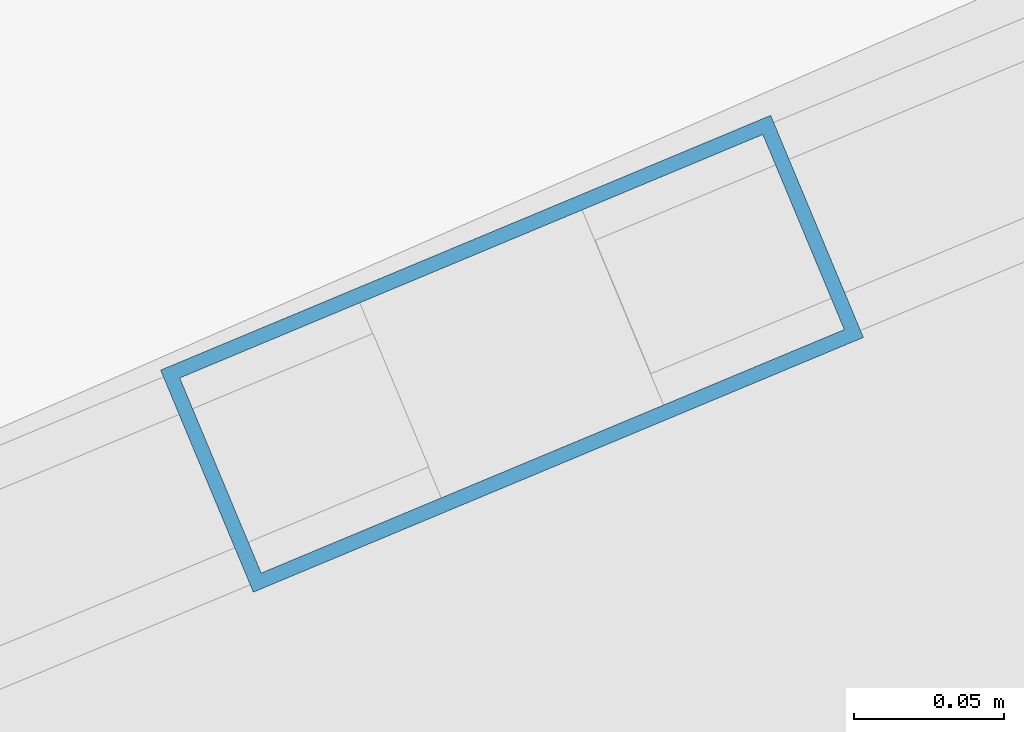
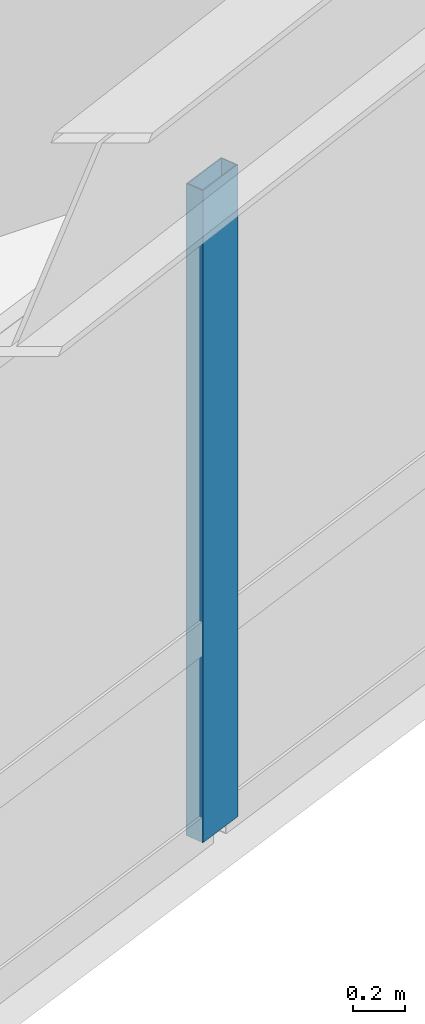
# One storey, part 4 of 19: 1 member, 1 element without a shape of its own.
"""IFC4 building model written with IfcOpenShell, lengths in metres."""

from ifc_helpers import new_model, si_unit, direction, frame, origin, origin_2d, place, context, subcontext, project, spatial, hollow_rectangle, extrude, source, transform, mapped, material, material_profile, profile_set, type_object, element, aggregate, save


model = new_model("IFC4")

# Units and contexts
model_context = context("Model", 3, precision=1e-05, world=origin(), true_north=direction((0.0, 1.0)))
body_context = subcontext(model_context, "Body", "Model", "MODEL_VIEW")
ifc_project = project(units=[si_unit("LENGTHUNIT", "METRE"), si_unit("AREAUNIT", "SQUARE_METRE"), si_unit("VOLUMEUNIT", "CUBIC_METRE"), si_unit("PLANEANGLEUNIT", "RADIAN"), si_unit("MASSUNIT", "GRAM", prefix="KILO")], contexts=[model_context])

# Site, building, storey
site_placement = place(None, origin())
site = spatial("IfcSite", under=ifc_project, at=site_placement, CompositionType="ELEMENT")
building_placement = place(site_placement, origin())
building = spatial("IfcBuilding", under=site, at=building_placement, Name="Olszyna Solenne Hotel", CompositionType="ELEMENT")
storey_placement = place(building_placement, frame((0.0, 0.0, 71.89990234375)))
storey = spatial("IfcBuildingStorey", under=building, at=storey_placement, Name="L18", CompositionType="ELEMENT", Elevation=71.89990234375)

# Curtain wall, member
ifc_material = material(Name="Anodised bronze aluminium", Category="aluminium")
curtain_wall_type = type_object("IfcCurtainWallType", Name="CW-SYS-6", PredefinedType="NOTDEFINED", material=ifc_material)
curtain_wall_placement = place(storey_placement, origin())
curtain_wall = element("IfcCurtainWall", 1, at=curtain_wall_placement, inside=storey, type_object=curtain_wall_type, Name="Unitised curtain wall CW-SYS-6 CW-L18-01", PredefinedType="NOTDEFINED")
ifc_material_profile = material_profile(ifc_material, hollow_rectangle(XDim=0.080078125, YDim=0.219970703125, WallThickness=0.0048828125, at=origin_2d()), Name="MULL 220x80x5", Category="load-bearing")
ifc_profile_set = profile_set([ifc_material_profile], Name="Anodised bronze aluminium")
member_type = type_object("IfcMemberType", Name="CW-M1", PredefinedType="MULLION", material=ifc_profile_set)
shared_shape = source(origin(), body_context, "Body", "SweptSolid", [
    extrude(hollow_rectangle(XDim=0.080078125, YDim=0.219970703125, WallThickness=0.0048828125, at=origin_2d()), origin(), (0.0, 0.0, 1.0), 3.0419921875),
])
member_placement = place(storey_placement, frame((35.70166015625, 6.64404296875, 0.0), z_axis=(0.0, 0.0, 1.0), x_axis=(-0.385295684368, 0.922793170547, 0.0)))
member = element("IfcMember", 2, at=member_placement, type_object=member_type, Name="Curtain-wall mullion CW-M1 CM-L18-01-02", PredefinedType="MULLION", context=body_context, shape_type="MappedRepresentation", body=[
    mapped(shared_shape, transform((0.0, 0.0, 0.0), x_axis=(1.0, 0.0, 0.0), y_axis=(0.0, 1.0, 0.0), z_axis=(0.0, 0.0, 1.0), scale=1.0)),
])
aggregate(curtain_wall, [member])

save(model, "model.ifc")
